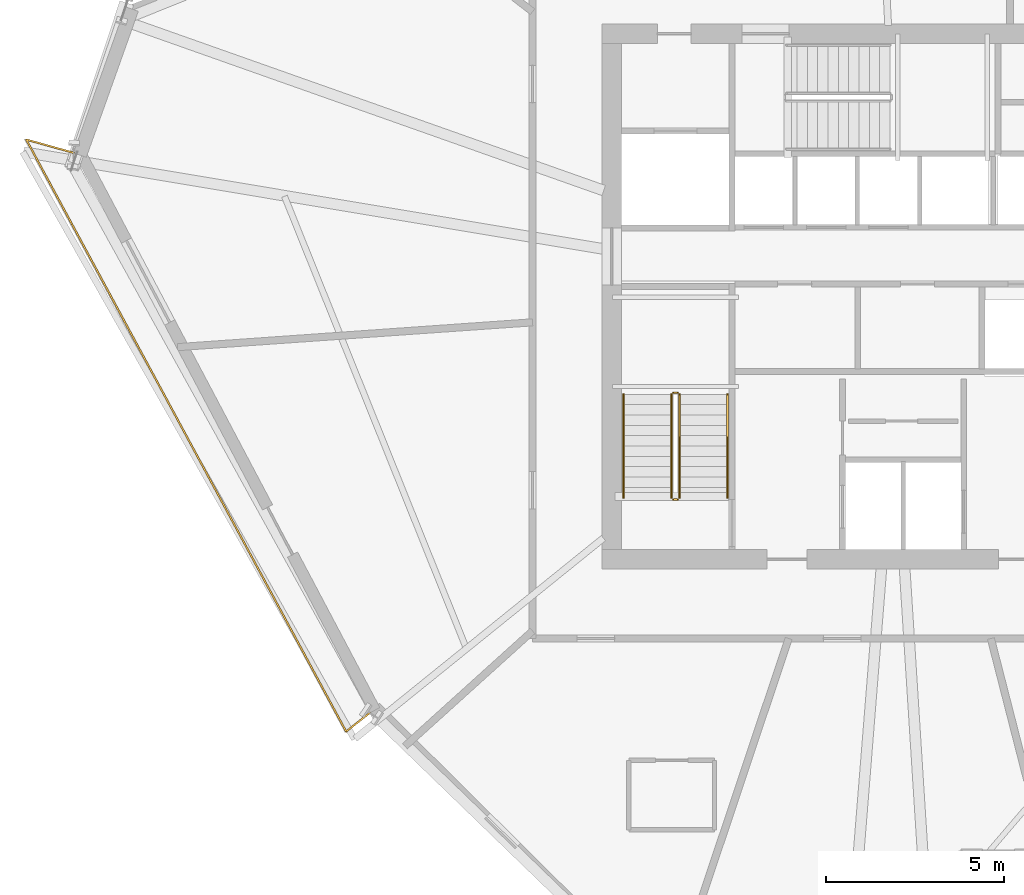
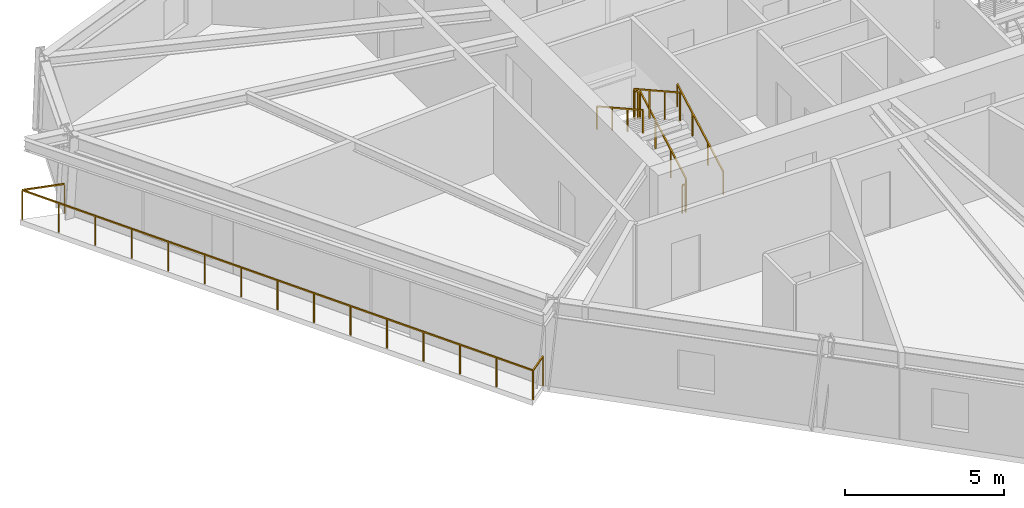
# One storey, part 11 of 13: 7 railings.
"""IFC4 building model written with IfcOpenShell, lengths in metres."""

from ifc_helpers import new_model, si_unit, direction, frame, origin, origin_2d, place, context, subcontext, project, spatial, rectangle, extrude, material, type_object, element, save


model = new_model("IFC4")

# Units and contexts
model_context = context("Model", 3, precision=1e-05, world=origin(), true_north=direction((0.0, 1.0)))
body_context = subcontext(model_context, "Body", "Model", "MODEL_VIEW")
ifc_project = project(units=[si_unit("LENGTHUNIT", "METRE"), si_unit("AREAUNIT", "SQUARE_METRE"), si_unit("VOLUMEUNIT", "CUBIC_METRE"), si_unit("PLANEANGLEUNIT", "RADIAN"), si_unit("MASSUNIT", "GRAM", prefix="KILO")], contexts=[model_context])

# Site, building, storey
site_placement = place(None, origin())
site = spatial("IfcSite", under=ifc_project, at=site_placement, CompositionType="ELEMENT")
building_placement = place(site_placement, origin())
building = spatial("IfcBuilding", under=site, at=building_placement, Name="Olszyna Solenne Hotel", CompositionType="ELEMENT")
storey_placement = place(building_placement, frame((0.0, 0.0, 189.199951171875)))
storey = spatial("IfcBuildingStorey", under=building, at=storey_placement, Name="L50", CompositionType="ELEMENT", Elevation=189.199951171875)

# Railings
ifc_material_1 = material(Name="Anodised bronze aluminium", Category="aluminium")
railing_type_1 = type_object("IfcRailingType", Name="GR-110", PredefinedType="BALUSTRADE", material=ifc_material_1)
railing_1_placement = place(storey_placement, frame((14.718505859375, 30.630615234375, 0.0)))
element("IfcRailing", 1, at=railing_1_placement, inside=storey, type_object=railing_type_1, Name="Loggia balcony balustrade guard GR-L50-LG2", PredefinedType="BALUSTRADE", context=body_context, shape_type="SweptSolid", body=[
    extrude(rectangle(XDim=0.048095703125, YDim=0.048095703125, at=origin_2d()), frame((0.0, 0.0, 1.1259765625), z_axis=(-0.962973211439, 0.269597095776, 0.0), x_axis=(-0.269597095776, -0.962973211439, 0.0)), (0.0, 0.0, 1.0), 1.379150390625),
    extrude(rectangle(XDim=0.048095703125, YDim=0.048095703125, at=origin_2d()), frame((-1.328125, 0.371826171875, 1.1259765625), z_axis=(0.475404540639, -0.879767311702, 0.0), x_axis=(0.879767311702, 0.475404540639, 0.0)), (0.0, 0.0, 1.0), 18.884033203125),
    extrude(rectangle(XDim=0.048095703125, YDim=0.048095703125, at=origin_2d()), frame((7.6494140625, -16.24169921875, 1.1259765625), z_axis=(0.785687151808, 0.618624037266, 0.0), x_axis=(-0.618624037266, 0.785687151808, 0.0)), (0.0, 0.0, 1.0), 0.84619140625),
    extrude(rectangle(XDim=0.0419921875, YDim=0.0419921875, at=origin_2d()), origin(), (0.0, 0.0, 1.0), 1.101806640625),
    extrude(rectangle(XDim=0.0419921875, YDim=0.0419921875, at=origin_2d()), frame((-1.328125, 0.371826171875, 0.0)), (0.0, 0.0, 1.0), 1.101806640625),
    extrude(rectangle(XDim=0.0419921875, YDim=0.0419921875, at=origin_2d()), frame((-0.686767578125, -0.81494140625, 0.0)), (0.0, 0.0, 1.0), 1.101806640625),
    extrude(rectangle(XDim=0.0419921875, YDim=0.0419921875, at=origin_2d()), frame((-0.045654296875, -2.00146484375, 0.0)), (0.0, 0.0, 1.0), 1.101806640625),
    extrude(rectangle(XDim=0.0419921875, YDim=0.0419921875, at=origin_2d()), frame((0.595703125, -3.188232421875, 0.0)), (0.0, 0.0, 1.0), 1.101806640625),
    extrude(rectangle(XDim=0.0419921875, YDim=0.0419921875, at=origin_2d()), frame((1.23681640625, -4.375, 0.0)), (0.0, 0.0, 1.0), 1.101806640625),
    extrude(rectangle(XDim=0.0419921875, YDim=0.0419921875, at=origin_2d()), frame((1.878173828125, -5.5615234375, 0.0)), (0.0, 0.0, 1.0), 1.101806640625),
    extrude(rectangle(XDim=0.0419921875, YDim=0.0419921875, at=origin_2d()), frame((2.519287109375, -6.748291015625, 0.0)), (0.0, 0.0, 1.0), 1.101806640625),
    extrude(rectangle(XDim=0.0419921875, YDim=0.0419921875, at=origin_2d()), frame((3.16064453125, -7.93505859375, 0.0)), (0.0, 0.0, 1.0), 1.101806640625),
    extrude(rectangle(XDim=0.0419921875, YDim=0.0419921875, at=origin_2d()), frame((3.802001953125, -9.12158203125, 0.0)), (0.0, 0.0, 1.0), 1.101806640625),
    extrude(rectangle(XDim=0.0419921875, YDim=0.0419921875, at=origin_2d()), frame((4.443115234375, -10.308349609375, 0.0)), (0.0, 0.0, 1.0), 1.101806640625),
    extrude(rectangle(XDim=0.0419921875, YDim=0.0419921875, at=origin_2d()), frame((5.08447265625, -11.494873046875, 0.0)), (0.0, 0.0, 1.0), 1.101806640625),
    extrude(rectangle(XDim=0.0419921875, YDim=0.0419921875, at=origin_2d()), frame((5.7255859375, -12.681640625, 0.0)), (0.0, 0.0, 1.0), 1.101806640625),
    extrude(rectangle(XDim=0.0419921875, YDim=0.0419921875, at=origin_2d()), frame((6.366943359375, -13.868408203125, 0.0)), (0.0, 0.0, 1.0), 1.101806640625),
    extrude(rectangle(XDim=0.0419921875, YDim=0.0419921875, at=origin_2d()), frame((7.008056640625, -15.054931640625, 0.0)), (0.0, 0.0, 1.0), 1.101806640625),
    extrude(rectangle(XDim=0.0419921875, YDim=0.0419921875, at=origin_2d()), frame((7.6494140625, -16.24169921875, 0.0)), (0.0, 0.0, 1.0), 1.101806640625),
    extrude(rectangle(XDim=0.0419921875, YDim=0.0419921875, at=origin_2d()), frame((8.314208984375, -15.71826171875, 0.0)), (0.0, 0.0, 1.0), 1.101806640625),
])
railing_2_placement = place(storey_placement, frame((31.719970703125, 20.949951171875, 0.161376953125)))
element("IfcRailing", 2, at=railing_2_placement, inside=storey, type_object=railing_type_1, Name="L50 ST1 stair guard 1", PredefinedType="BALUSTRADE", context=body_context, shape_type="SweptSolid", body=[
    extrude(rectangle(XDim=0.048095703125, YDim=0.048095703125, at=origin_2d()), frame((0.0, 0.0, 1.076171875), z_axis=(0.0, 0.873827439584, 0.48623616261), x_axis=(-1.0, 0.0, 0.0)), (0.0, 0.0, 1.0), 3.31884765625),
    extrude(rectangle(XDim=0.0419921875, YDim=0.0419921875, at=origin_2d()), origin(), (0.0, 0.0, 1.0), 1.052001953125),
    extrude(rectangle(XDim=0.0419921875, YDim=0.0419921875, at=origin_2d()), frame((0.0, 0.966796875, 0.537841796875)), (0.0, 0.0, 1.0), 1.052001953125),
    extrude(rectangle(XDim=0.0419921875, YDim=0.0419921875, at=origin_2d()), frame((0.0, 1.933349609375, 1.075927734375)), (0.0, 0.0, 1.0), 1.052001953125),
    extrude(rectangle(XDim=0.0419921875, YDim=0.0419921875, at=origin_2d()), frame((0.0, 2.900146484375, 1.61376953125)), (0.0, 0.0, 1.0), 1.052001953125),
])
railing_3_placement = place(storey_placement, frame((31.669921875, 23.89990234375, 1.775146484375)))
element("IfcRailing", 3, at=railing_3_placement, inside=storey, type_object=railing_type_1, Name="L50 ST1 stair guard 2", PredefinedType="BALUSTRADE", context=body_context, shape_type="SweptSolid", body=[
    extrude(rectangle(XDim=0.048095703125, YDim=0.048095703125, at=origin_2d()), frame((0.0, 0.0, 1.076171875), z_axis=(-1.0, 0.0, 0.0), x_axis=(0.0, -1.0, 0.0)), (0.0, 0.0, 1.0), 0.119873046875),
    extrude(rectangle(XDim=0.0419921875, YDim=0.0419921875, at=origin_2d()), origin(), (0.0, 0.0, 1.0), 1.052001953125),
    extrude(rectangle(XDim=0.0419921875, YDim=0.0419921875, at=origin_2d()), frame((-0.119873046875, 0.0, 0.0)), (0.0, 0.0, 1.0), 1.052001953125),
])
railing_4_placement = place(storey_placement, frame((31.5, 23.85009765625, 1.9365234375)))
element("IfcRailing", 4, at=railing_4_placement, inside=storey, type_object=railing_type_1, Name="L50 ST1 stair guard 3", PredefinedType="BALUSTRADE", context=body_context, shape_type="SweptSolid", body=[
    extrude(rectangle(XDim=0.048095703125, YDim=0.048095703125, at=origin_2d()), frame((0.0, 0.0, 1.076171875), z_axis=(0.0, -0.873858693841, 0.486179990537), x_axis=(1.0, 0.0, 0.0)), (0.0, 0.0, 1.0), 3.31884765625),
    extrude(rectangle(XDim=0.0419921875, YDim=0.0419921875, at=origin_2d()), origin(), (0.0, 0.0, 1.0), 1.052001953125),
    extrude(rectangle(XDim=0.0419921875, YDim=0.0419921875, at=origin_2d()), frame((0.0, -0.966796875, 0.537841796875)), (0.0, 0.0, 1.0), 1.052001953125),
    extrude(rectangle(XDim=0.0419921875, YDim=0.0419921875, at=origin_2d()), frame((0.0, -1.933349609375, 1.07568359375)), (0.0, 0.0, 1.0), 1.052001953125),
    extrude(rectangle(XDim=0.0419921875, YDim=0.0419921875, at=origin_2d()), frame((0.0, -2.900146484375, 1.613525390625)), (0.0, 0.0, 1.0), 1.052001953125),
])
railing_5_placement = place(storey_placement, frame((31.669921875, 20.89990234375, 0.0)))
element("IfcRailing", 5, at=railing_5_placement, inside=storey, type_object=railing_type_1, Name="L50 ST1 stair guard 4", PredefinedType="BALUSTRADE", context=body_context, shape_type="SweptSolid", body=[
    extrude(rectangle(XDim=0.048095703125, YDim=0.048095703125, at=origin_2d()), frame((0.0, 0.0, 1.076171875), z_axis=(-1.0, 0.0, 0.0), x_axis=(0.0, -1.0, 0.0)), (0.0, 0.0, 1.0), 0.119873046875),
    extrude(rectangle(XDim=0.0419921875, YDim=0.0419921875, at=origin_2d()), origin(), (0.0, 0.0, 1.0), 1.052001953125),
    extrude(rectangle(XDim=0.0419921875, YDim=0.0419921875, at=origin_2d()), frame((-0.119873046875, 0.0, 0.0)), (0.0, 0.0, 1.0), 1.052001953125),
])
ifc_material_2 = material(Name="Steel S355J2", Category="steel")
railing_type_2 = type_object("IfcRailingType", Name="HR-090", PredefinedType="HANDRAIL", material=ifc_material_2)
railing_6_placement = place(storey_placement, frame((33.070068359375, 20.949951171875, 0.161376953125)))
element("IfcRailing", 6, at=railing_6_placement, inside=storey, type_object=railing_type_2, Name="L50 ST1 stair handrail 1", PredefinedType="HANDRAIL", context=body_context, shape_type="SweptSolid", body=[
    extrude(rectangle(XDim=0.048095703125, YDim=0.048095703125, at=origin_2d()), frame((0.0, 0.0, 0.8759765625), z_axis=(0.0, 0.873827439584, 0.48623616261), x_axis=(-1.0, 0.0, 0.0)), (0.0, 0.0, 1.0), 3.31884765625),
    extrude(rectangle(XDim=0.0419921875, YDim=0.0419921875, at=origin_2d()), origin(), (0.0, 0.0, 1.0), 0.851806640625),
    extrude(rectangle(XDim=0.0419921875, YDim=0.0419921875, at=origin_2d()), frame((0.0, 0.966796875, 0.537841796875)), (0.0, 0.0, 1.0), 0.851806640625),
    extrude(rectangle(XDim=0.0419921875, YDim=0.0419921875, at=origin_2d()), frame((0.0, 1.933349609375, 1.075927734375)), (0.0, 0.0, 1.0), 0.851806640625),
    extrude(rectangle(XDim=0.0419921875, YDim=0.0419921875, at=origin_2d()), frame((0.0, 2.900146484375, 1.61376953125)), (0.0, 0.0, 1.0), 0.851806640625),
])
railing_7_placement = place(storey_placement, frame((30.14990234375, 23.85009765625, 1.9365234375)))
element("IfcRailing", 7, at=railing_7_placement, inside=storey, type_object=railing_type_2, Name="L50 ST1 stair handrail 2", PredefinedType="HANDRAIL", context=body_context, shape_type="SweptSolid", body=[
    extrude(rectangle(XDim=0.048095703125, YDim=0.048095703125, at=origin_2d()), frame((0.0, 0.0, 0.8759765625), z_axis=(0.0, -0.873858693841, 0.486179990537), x_axis=(1.0, 0.0, 0.0)), (0.0, 0.0, 1.0), 3.31884765625),
    extrude(rectangle(XDim=0.0419921875, YDim=0.0419921875, at=origin_2d()), origin(), (0.0, 0.0, 1.0), 0.851806640625),
    extrude(rectangle(XDim=0.0419921875, YDim=0.0419921875, at=origin_2d()), frame((0.0, -0.966796875, 0.537841796875)), (0.0, 0.0, 1.0), 0.851806640625),
    extrude(rectangle(XDim=0.0419921875, YDim=0.0419921875, at=origin_2d()), frame((0.0, -1.933349609375, 1.07568359375)), (0.0, 0.0, 1.0), 0.851806640625),
    extrude(rectangle(XDim=0.0419921875, YDim=0.0419921875, at=origin_2d()), frame((0.0, -2.900146484375, 1.613525390625)), (0.0, 0.0, 1.0), 0.851806640625),
])

save(model, "model.ifc")
